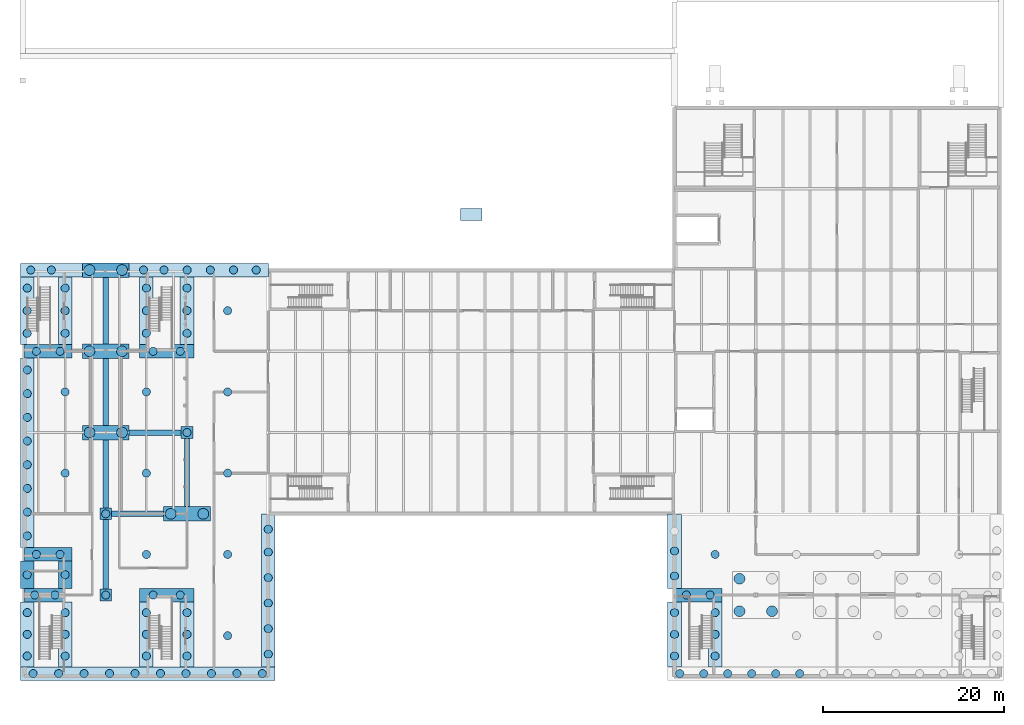
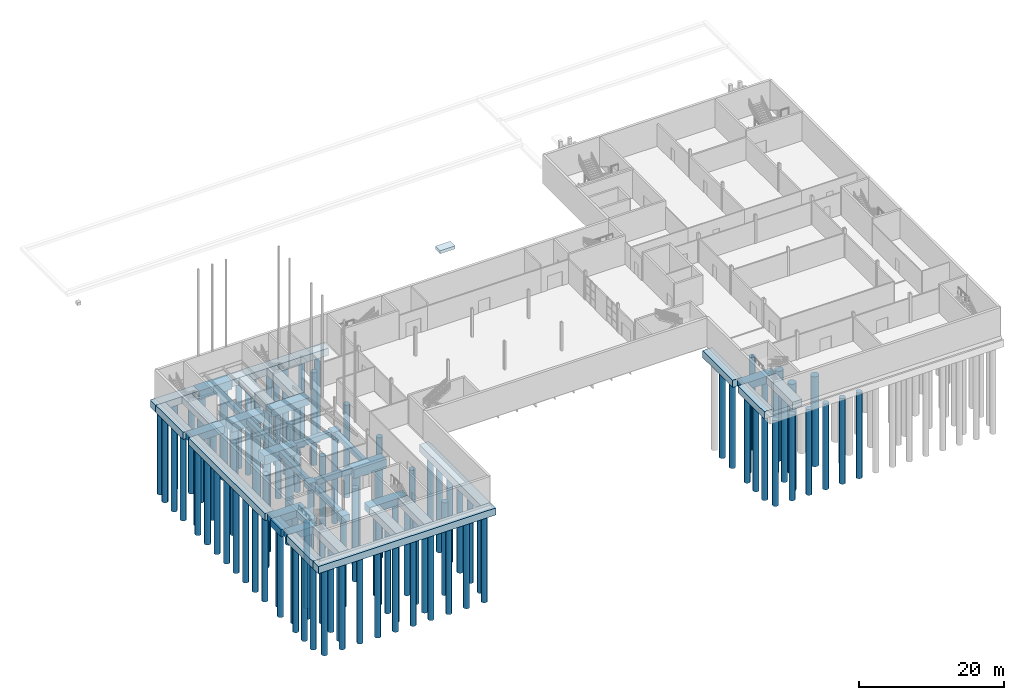
# One storey, part 1 of 31: 109 piles, 39 footings.
"""IFC4 building model written with IfcOpenShell, lengths in metres."""

import ifcopenshell
import ifcopenshell.guid

model = None  # the IFC model being written
_history = None  # IfcOwnerHistory: only IFC2X3 demands one
_inside = {}  # id of a spatial element -> (the spatial element, [elements in it])
_under = {}  # id of a project, library or spatial element -> (it, [spatial elements below it])
_declared = {}  # id of a project -> (the project, [libraries it declares])
_typed = {}  # id of a type object -> (the type object, [elements of that type])
_made_of = {}  # id of a material, layer set ... -> (it, [elements and type objects made of it])


def new_model(schema):
    """Start an empty IFC model of exactly this schema.

    Asked for "IFC4X3", IfcOpenShell would pick the latest addendum, in which some entities
    have other attributes; the version numbers below select the first issue.
    IFC2X3 requires an IfcOwnerHistory on every rooted entity: one is made here for all.
    """
    global model, _history
    if schema == "IFC4X3":
        model = ifcopenshell.file(schema_version=(4, 3, 0, 0))
    else:
        model = ifcopenshell.file(schema=schema)
    _inside.clear()
    _under.clear()
    _declared.clear()
    _typed.clear()
    _made_of.clear()
    _history = None
    if model.schema == "IFC2X3":
        org = make("IfcOrganization", Name="unknown")
        user = make(
            "IfcPersonAndOrganization",
            ThePerson=make("IfcPerson", FamilyName="unknown"),
            TheOrganization=org,
        )
        app = make(
            "IfcApplication",
            ApplicationDeveloper=org,
            Version="unknown",
            ApplicationFullName="unknown",
            ApplicationIdentifier="unknown",
        )
        _history = make(
            "IfcOwnerHistory",
            OwningUser=user,
            OwningApplication=app,
            ChangeAction="ADDED",
            CreationDate=0,
        )
    return model


def make(cls, **values):
    """One entity of the class cls with the attributes given. An attribute that is None is left unset."""
    return model.create_entity(
        cls, **{name: value for name, value in values.items() if value is not None}
    )


def rooted(cls, **values):
    """An entity with a GlobalId (a new one), such as an element, a storey or a relation."""
    return make(cls, GlobalId=ifcopenshell.guid.new(), OwnerHistory=_history, **values)


def si_unit(unit_type, name, prefix=None):
    """IfcSIUnit, for example si_unit("LENGTHUNIT", "METRE", prefix="MILLI")."""
    return make("IfcSIUnit", UnitType=unit_type, Prefix=prefix, Name=name)


def assignment(units):
    """IfcUnitAssignment: the units of a project."""
    return None if units is None else make("IfcUnitAssignment", Units=units)


def point(xyz):
    """IfcCartesianPoint."""
    return None if xyz is None else make("IfcCartesianPoint", Coordinates=xyz)


def direction(xyz):
    """IfcDirection."""
    return None if xyz is None else make("IfcDirection", DirectionRatios=xyz)


def frame(location, z_axis=None, x_axis=None):
    """IfcAxis2Placement3D, a coordinate frame: its origin and axes. An axis left out is left unset."""
    return make(
        "IfcAxis2Placement3D",
        Location=point(location),
        Axis=direction(z_axis),
        RefDirection=direction(x_axis),
    )


def frame_2d(location, x_axis=None):
    """IfcAxis2Placement2D, a coordinate frame in the plane: its origin and x axis."""
    return make(
        "IfcAxis2Placement2D", Location=point(location), RefDirection=direction(x_axis)
    )


def origin():
    """The frame at (0, 0, 0) with its axes left unset."""
    return frame((0.0, 0.0, 0.0))


def origin_2d():
    """The frame at (0, 0) in the plane with its x axis left unset."""
    return frame_2d((0.0, 0.0))


def place(relative_to, where):
    """IfcLocalPlacement: puts the frame where relative to a parent placement (None: the world)."""
    return make(
        "IfcLocalPlacement", PlacementRelTo=relative_to, RelativePlacement=where
    )


def context(
    kind, dimensions, precision=None, world=None, true_north=None, identifier=None
):
    """IfcGeometricRepresentationContext, for example the 3D "Model" context."""
    return make(
        "IfcGeometricRepresentationContext",
        ContextIdentifier=identifier,
        ContextType=kind,
        CoordinateSpaceDimension=dimensions,
        Precision=precision,
        WorldCoordinateSystem=world,
        TrueNorth=true_north,
    )


def subcontext(parent, identifier, kind, view, scale=None):
    """IfcGeometricRepresentationSubContext, for example "Body" below "Model"."""
    return make(
        "IfcGeometricRepresentationSubContext",
        ContextIdentifier=identifier,
        ContextType=kind,
        ParentContext=parent,
        TargetScale=scale,
        TargetView=view,
    )


def project(units=None, contexts=None):
    """IfcProject with its units and contexts."""
    return rooted(
        "IfcProject",
        Name="project",
        RepresentationContexts=contexts,
        UnitsInContext=assignment(units),
    )


def spatial(cls, under=None, at=None, **own):
    """A site, building, storey or space (cls), placed at a placement, below another one or the project."""
    s = rooted(cls, ObjectPlacement=at, **own)
    if under is not None:
        _under.setdefault(under.id(), (under, []))[1].append(s)
    return s


def polyline(points):
    """IfcPolyline through the points."""
    return make("IfcPolyline", Points=[point(p) for p in points])


def profile(cls, at=None, kind="AREA", **sizes):
    """A parametric profile (cls). Its sizes go by their IFC names, for example OverallWidth=200.0."""
    return make(cls, ProfileType=kind, Position=at, **sizes)


def circle(**sizes):
    """IfcCircleProfileDef."""
    return profile("IfcCircleProfileDef", **sizes)


def outline(outer, holes=None, kind="AREA"):
    """IfcArbitraryClosedProfileDef: a profile drawn as a closed curve; with holes, ...WithVoids."""
    if holes is None:
        return make("IfcArbitraryClosedProfileDef", ProfileType=kind, OuterCurve=outer)
    return make(
        "IfcArbitraryProfileDefWithVoids",
        ProfileType=kind,
        OuterCurve=outer,
        InnerCurves=holes,
    )


def extrude(swept, where, along, depth):
    """IfcExtrudedAreaSolid: the profile swept, set in the frame where, extruded along a direction by depth."""
    return make(
        "IfcExtrudedAreaSolid",
        SweptArea=swept,
        Position=where,
        ExtrudedDirection=direction(along),
        Depth=depth,
    )


def shape(context_of_items, identifier, shape_type, items):
    """IfcShapeRepresentation: the items that make up one representation, for example the "Body"."""
    return make(
        "IfcShapeRepresentation",
        ContextOfItems=context_of_items,
        RepresentationIdentifier=identifier,
        RepresentationType=shape_type,
        Items=items,
    )


def material(Name=None, Category=None):
    """IfcMaterial."""
    return make("IfcMaterial", Name=Name, Category=Category)


def layer(
    of_material, thickness, ventilated=None, Name=None, Category=None, Priority=None
):
    """IfcMaterialLayer: one layer of a wall or slab, of a material (None: an air gap)."""
    return make(
        "IfcMaterialLayer",
        Material=of_material,
        LayerThickness=thickness,
        IsVentilated=ventilated,
        Name=Name,
        Category=Category,
        Priority=Priority,
    )


def layer_set(layers, Name=None):
    """IfcMaterialLayerSet."""
    return make("IfcMaterialLayerSet", MaterialLayers=layers, LayerSetName=Name)


def material_profile(
    of_material, cross_section, Name=None, Category=None, Priority=None
):
    """IfcMaterialProfile: a cross section and its material."""
    return make(
        "IfcMaterialProfile",
        Name=Name,
        Material=of_material,
        Profile=cross_section,
        Priority=Priority,
        Category=Category,
    )


def profile_set(profiles, Name=None, composite=None):
    """IfcMaterialProfileSet."""
    return make(
        "IfcMaterialProfileSet",
        Name=Name,
        MaterialProfiles=profiles,
        CompositeProfile=composite,
    )


def made_of(thing, what):
    """Note that an element or type object is made of a material, layer set ...; save() writes the relation."""
    if what is not None:
        _made_of.setdefault(what.id(), (what, []))[1].append(thing)
    return thing


def type_object(cls, material=None, **own):
    """A type object (cls), such as IfcWallType, which elements share."""
    return made_of(rooted(cls, **own), material)


def element(
    cls,
    number,
    at=None,
    inside=None,
    cuts=None,
    type_object=None,
    material=None,
    context=None,
    identifier="Body",
    shape_type=None,
    held_by="IfcProductDefinitionShape",
    body=None,
    shapes=None,
    **own,
):
    """One element of the class cls, such as IfcWall. Its Tag is "e" and its number.

    at: its placement. inside: the storey or other place that contains it. cuts: it is an
    opening in that element (IfcRelVoidsElement). A single representation is given by context,
    identifier, shape_type and body (its items); several are given by shapes. held_by: the class
    of the entity that holds the representations. save() writes the other relations.
    """
    e = rooted(cls, Tag="e%d" % number, ObjectPlacement=at, **own)
    if body is not None:
        shapes = [shape(context, identifier, shape_type, body)]
    if shapes is not None:
        e.Representation = make(held_by, Representations=shapes)
    if inside is not None:
        _inside.setdefault(inside.id(), (inside, []))[1].append(e)
    if cuts is not None:
        rooted(
            "IfcRelVoidsElement", RelatingBuildingElement=cuts, RelatedOpeningElement=e
        )
    if type_object is not None:
        _typed.setdefault(type_object.id(), (type_object, []))[1].append(e)
    return made_of(e, material)


def aggregate(whole, parts):
    """IfcRelAggregates: a whole, such as a stair, and the parts it consists of."""
    return rooted("IfcRelAggregates", RelatingObject=whole, RelatedObjects=parts)


def save(model, path):
    """Write the relations noted so far, then the file.

    IfcRelAggregates (storeys below a building ...), IfcRelContainedInSpatialStructure (elements
    in a storey), IfcRelDefinesByType, IfcRelAssociatesMaterial and IfcRelDeclares: one each for
    every whole, place, type object, material and project.
    """
    for whole, parts in _under.values():
        aggregate(whole, parts)
    for where, things in _inside.values():
        rooted(
            "IfcRelContainedInSpatialStructure",
            RelatedElements=things,
            RelatingStructure=where,
        )
    for kind, things in _typed.values():
        rooted("IfcRelDefinesByType", RelatedObjects=things, RelatingType=kind)
    for what, things in _made_of.values():
        rooted("IfcRelAssociatesMaterial", RelatedObjects=things, RelatingMaterial=what)
    for by, libraries in _declared.values():
        rooted("IfcRelDeclares", RelatingContext=by, RelatedDefinitions=libraries)
    model.write(path)


model = new_model("IFC4")

# Units and contexts
model_context = context("Model", 3, precision=1e-05, world=origin(), true_north=direction((0.0, 1.0)))
body_context = subcontext(model_context, "Body", "Model", "MODEL_VIEW")
ifc_project = project(units=[si_unit("LENGTHUNIT", "METRE"), si_unit("AREAUNIT", "SQUARE_METRE"), si_unit("VOLUMEUNIT", "CUBIC_METRE"), si_unit("PLANEANGLEUNIT", "RADIAN"), si_unit("MASSUNIT", "GRAM", prefix="KILO")], contexts=[model_context])

# Site, building, storey
site_placement = place(None, origin())
site = spatial("IfcSite", under=ifc_project, at=site_placement, CompositionType="ELEMENT")
building_placement = place(site_placement, origin())
building = spatial("IfcBuilding", under=site, at=building_placement, Name="Halyard Row Museum", CompositionType="ELEMENT")
storey_placement = place(building_placement, frame((0.0, 0.0, -4.800048828125)))
storey = spatial("IfcBuildingStorey", under=building, at=storey_placement, Name="B1", CompositionType="ELEMENT", Elevation=-4.800048828125)

# Piles
ifc_material_1 = material(Name="Concrete 40 MPa", Category="concrete")
ifc_material_profile_1 = material_profile(ifc_material_1, circle(Radius=0.60009765625, at=origin_2d()), Name="Bored pile 1200 x 15.1")
ifc_profile_set_1 = profile_set([ifc_material_profile_1], Name="Concrete 40 MPa")
pile_type_1 = type_object("IfcPileType", Name="Bored pile 1200 x 15.1", PredefinedType="BORED", material=ifc_profile_set_1)
for number, where, z_axis, x_axis, name in (
    (1, (79.199951171875, 7.199951171875, -2.099853515625), (0.0, 0.0, -1.0), (1.0, 0.0, 0.0), "pile:B1:10B:1"),
    (2, (82.800048828125, 7.199951171875, -2.099853515625), (0.0, 0.0, -1.0), (1.0, 0.0, 0.0), "pile:B1:10B:2"),
    (3, (79.199951171875, 10.800048828125, -2.099853515625), (0.0, 0.0, -1.0), (1.0, 0.0, 0.0), "pile:B1:10B:3"),
    (4, (16.199951171875, 18.0, -2.099853515625), (0.0, 0.0, -1.0), (1.0, 0.0, 0.0), "pile:B1:3C:1"),
    (5, (19.800048828125, 18.0, -2.099853515625), (0.0, 0.0, -1.0), (1.0, 0.0, 0.0), "pile:B1:3C:2"),
    (6, (7.199951171875, 27.0, -2.099853515625), (0.0, 0.0, -1.0), (1.0, 0.0, 0.0), "pile:B1:2D:1"),
    (7, (10.800048828125, 27.0, -2.099853515625), (0.0, 0.0, -1.0), (1.0, 0.0, 0.0), "pile:B1:2D:2"),
    (8, (7.199951171875, 36.0, -2.099853515625), (0.0, 0.0, -1.0), (1.0, 0.0, 0.0), "pile:B1:2E:1"),
    (9, (10.800048828125, 36.0, -2.099853515625), (0.0, 0.0, -1.0), (1.0, 0.0, 0.0), "pile:B1:2E:2"),
    (10, (7.199951171875, 45.0, -2.099853515625), (0.0, 0.0, -1.0), (1.0, 0.0, 0.0), "pile:B1:2F:1"),
    (11, (10.800048828125, 45.0, -2.099853515625), (0.0, 0.0, -1.0), (1.0, 0.0, 0.0), "pile:B1:2F:2"),
):
    element("IfcPile", number, at=place(storey_placement, frame(where, z_axis=z_axis, x_axis=x_axis)), inside=storey, type_object=pile_type_1, Name=name, PredefinedType="BORED", context=body_context, shape_type="SweptSolid", body=[
        extrude(circle(Radius=0.60009765625, at=origin_2d()), origin(), (0.0, 0.0, 1.0), 15.10009765625),
    ])
ifc_material_2 = material(Name="Concrete 40 MPa", Category="concrete")
ifc_material_profile_2 = material_profile(ifc_material_2, circle(Radius=0.449951171875, at=origin_2d()), Name="Bored pile 900 x 14.4")
ifc_profile_set_2 = profile_set([ifc_material_profile_2], Name="Concrete 40 MPa")
pile_type_2 = type_object("IfcPileType", Name="Bored pile 900 x 14.4", PredefinedType="BORED", material=ifc_profile_set_2)
for number, where, z_axis, x_axis, name in (
    (12, (9.0, 9.0, -1.800048828125), (0.0, 0.0, -1.0), (1.0, 0.0, 0.0), "pile:B1:2B:1"),
    (13, (9.0, 18.0, -1.800048828125), (0.0, 0.0, -1.0), (1.0, 0.0, 0.0), "pile:B1:2C:1"),
    (14, (18.0, 27.0, -1.800048828125), (0.0, 0.0, -1.0), (1.0, 0.0, 0.0), "pile:B1:3D:1"),
    (15, (0.300048828125, 2.25, -1.800048828125), (0.0, 0.0, -1.0), (1.0, 0.0, 0.0), "pile:B1:37:1"),
    (16, (0.300048828125, 4.64990234375, -1.800048828125), (0.0, 0.0, -1.0), (1.0, 0.0, 0.0), "pile:B1:37:2"),
    (17, (0.300048828125, 7.050048828125, -1.800048828125), (0.0, 0.0, -1.0), (1.0, 0.0, 0.0), "pile:B1:37:3"),
    (18, (0.300048828125, 11.25, -1.800048828125), (0.0, 0.0, -1.0), (1.0, 0.0, 0.0), "pile:B1:38:1"),
    (19, (0.300048828125, 15.5625, -1.800048828125), (0.0, 0.0, -1.0), (1.0, 0.0, 0.0), "pile:B1:39:1"),
    (20, (0.300048828125, 18.1875, -1.800048828125), (0.0, 0.0, -1.0), (1.0, 0.0, 0.0), "pile:B1:39:2"),
    (21, (0.300048828125, 20.8125, -1.800048828125), (0.0, 0.0, -1.0), (1.0, 0.0, 0.0), "pile:B1:39:3"),
    (22, (0.300048828125, 23.4375, -1.800048828125), (0.0, 0.0, -1.0), (1.0, 0.0, 0.0), "pile:B1:39:4"),
    (23, (0.300048828125, 26.0625, -1.800048828125), (0.0, 0.0, -1.0), (1.0, 0.0, 0.0), "pile:B1:39:5"),
    (24, (0.300048828125, 28.6875, -1.800048828125), (0.0, 0.0, -1.0), (1.0, 0.0, 0.0), "pile:B1:39:6"),
    (25, (0.300048828125, 31.3125, -1.800048828125), (0.0, 0.0, -1.0), (1.0, 0.0, 0.0), "pile:B1:39:7"),
    (26, (0.300048828125, 33.9375, -1.800048828125), (0.0, 0.0, -1.0), (1.0, 0.0, 0.0), "pile:B1:39:8"),
    (27, (0.300048828125, 38.0, -1.800048828125), (0.0, 0.0, -1.0), (1.0, 0.0, 0.0), "pile:B1:40:1"),
    (28, (0.300048828125, 40.5, -1.800048828125), (0.0, 0.0, -1.0), (1.0, 0.0, 0.0), "pile:B1:40:2"),
    (29, (0.300048828125, 43.0, -1.800048828125), (0.0, 0.0, -1.0), (1.0, 0.0, 0.0), "pile:B1:40:3"),
    (30, (4.5, 2.25, -1.800048828125), (0.0, 0.0, -1.0), (1.0, 0.0, 0.0), "pile:B1:41:1"),
    (31, (4.5, 4.64990234375, -1.800048828125), (0.0, 0.0, -1.0), (1.0, 0.0, 0.0), "pile:B1:41:2"),
    (32, (4.5, 7.050048828125, -1.800048828125), (0.0, 0.0, -1.0), (1.0, 0.0, 0.0), "pile:B1:41:3"),
    (33, (4.5, 11.25, -1.800048828125), (0.0, 0.0, -1.0), (1.0, 0.0, 0.0), "pile:B1:42:1"),
    (34, (4.5, 38.0, -1.800048828125), (0.0, 0.0, -1.0), (1.0, 0.0, 0.0), "pile:B1:43:1"),
    (35, (4.5, 40.5, -1.800048828125), (0.0, 0.0, -1.0), (1.0, 0.0, 0.0), "pile:B1:43:2"),
    (36, (4.5, 43.0, -1.800048828125), (0.0, 0.0, -1.0), (1.0, 0.0, 0.0), "pile:B1:43:3"),
    (37, (13.5, 2.25, -1.800048828125), (0.0, 0.0, -1.0), (1.0, 0.0, 0.0), "pile:B1:44:1"),
    (38, (13.5, 4.64990234375, -1.800048828125), (0.0, 0.0, -1.0), (1.0, 0.0, 0.0), "pile:B1:44:2"),
    (39, (13.5, 7.050048828125, -1.800048828125), (0.0, 0.0, -1.0), (1.0, 0.0, 0.0), "pile:B1:44:3"),
    (40, (13.5, 38.0, -1.800048828125), (0.0, 0.0, -1.0), (1.0, 0.0, 0.0), "pile:B1:45:1"),
    (41, (13.5, 40.5, -1.800048828125), (0.0, 0.0, -1.0), (1.0, 0.0, 0.0), "pile:B1:45:2"),
    (42, (13.5, 43.0, -1.800048828125), (0.0, 0.0, -1.0), (1.0, 0.0, 0.0), "pile:B1:45:3"),
    (43, (18.0, 2.25, -1.800048828125), (0.0, 0.0, -1.0), (1.0, 0.0, 0.0), "pile:B1:46:1"),
    (44, (18.0, 4.64990234375, -1.800048828125), (0.0, 0.0, -1.0), (1.0, 0.0, 0.0), "pile:B1:46:2"),
    (45, (18.0, 7.050048828125, -1.800048828125), (0.0, 0.0, -1.0), (1.0, 0.0, 0.0), "pile:B1:46:3"),
    (46, (18.0, 38.0, -1.800048828125), (0.0, 0.0, -1.0), (1.0, 0.0, 0.0), "pile:B1:47:1"),
    (47, (18.0, 40.5, -1.800048828125), (0.0, 0.0, -1.0), (1.0, 0.0, 0.0), "pile:B1:47:2"),
    (48, (18.0, 43.0, -1.800048828125), (0.0, 0.0, -1.0), (1.0, 0.0, 0.0), "pile:B1:47:3"),
    (49, (27.0, 2.46240234375, -1.800048828125), (0.0, 0.0, -1.0), (1.0, 0.0, 0.0), "pile:B1:48:1"),
    (50, (27.0, 5.28759765625, -1.800048828125), (0.0, 0.0, -1.0), (1.0, 0.0, 0.0), "pile:B1:48:2"),
    (51, (27.0, 8.112548828125, -1.800048828125), (0.0, 0.0, -1.0), (1.0, 0.0, 0.0), "pile:B1:48:3"),
    (52, (27.0, 10.9375, -1.800048828125), (0.0, 0.0, -1.0), (1.0, 0.0, 0.0), "pile:B1:48:4"),
    (53, (27.0, 13.762451171875, -1.800048828125), (0.0, 0.0, -1.0), (1.0, 0.0, 0.0), "pile:B1:48:5"),
    (54, (27.0, 16.28759765625, -1.800048828125), (0.0, 0.0, -1.0), (1.0, 0.0, 0.0), "pile:B1:48:6"),
    (55, (72.0, 2.25, -1.800048828125), (0.0, 0.0, -1.0), (1.0, 0.0, 0.0), "pile:B1:49:1"),
    (56, (72.0, 4.64990234375, -1.800048828125), (0.0, 0.0, -1.0), (1.0, 0.0, 0.0), "pile:B1:49:2"),
    (57, (72.0, 7.050048828125, -1.800048828125), (0.0, 0.0, -1.0), (1.0, 0.0, 0.0), "pile:B1:49:3"),
    (58, (72.0, 11.125, -1.800048828125), (0.0, 0.0, -1.0), (1.0, 0.0, 0.0), "pile:B1:50:1"),
    (59, (72.0, 13.875, -1.800048828125), (0.0, 0.0, -1.0), (1.0, 0.0, 0.0), "pile:B1:50:2"),
    (60, (76.5, 2.25, -1.800048828125), (0.0, 0.0, -1.0), (1.0, 0.0, 0.0), "pile:B1:51:1"),
    (61, (76.5, 4.64990234375, -1.800048828125), (0.0, 0.0, -1.0), (1.0, 0.0, 0.0), "pile:B1:51:2"),
    (62, (76.5, 7.050048828125, -1.800048828125), (0.0, 0.0, -1.0), (1.0, 0.0, 0.0), "pile:B1:51:3"),
    (63, (0.9599609375, 0.300048828125, -1.800048828125), (0.0, 0.0, -1.0), (1.0, 0.0, 0.0), "pile:B1:55:1"),
    (64, (3.780029296875, 0.300048828125, -1.800048828125), (0.0, 0.0, -1.0), (1.0, 0.0, 0.0), "pile:B1:55:2"),
    (65, (6.60009765625, 0.300048828125, -1.800048828125), (0.0, 0.0, -1.0), (1.0, 0.0, 0.0), "pile:B1:55:3"),
    (66, (9.419921875, 0.300048828125, -1.800048828125), (0.0, 0.0, -1.0), (1.0, 0.0, 0.0), "pile:B1:55:4"),
    (67, (12.239990234375, 0.300048828125, -1.800048828125), (0.0, 0.0, -1.0), (1.0, 0.0, 0.0), "pile:B1:55:5"),
    (68, (15.06005859375, 0.300048828125, -1.800048828125), (0.0, 0.0, -1.0), (1.0, 0.0, 0.0), "pile:B1:55:6"),
    (69, (17.8798828125, 0.300048828125, -1.800048828125), (0.0, 0.0, -1.0), (1.0, 0.0, 0.0), "pile:B1:55:7"),
    (70, (20.699951171875, 0.300048828125, -1.800048828125), (0.0, 0.0, -1.0), (1.0, 0.0, 0.0), "pile:B1:55:8"),
    (71, (23.52001953125, 0.300048828125, -1.800048828125), (0.0, 0.0, -1.0), (1.0, 0.0, 0.0), "pile:B1:55:9"),
    (72, (26.340087890625, 0.300048828125, -1.800048828125), (0.0, 0.0, -1.0), (1.0, 0.0, 0.0), "pile:B1:55:10"),
    (73, (72.57861328125, 0.300048828125, -1.800048828125), (0.0, 0.0, -1.0), (1.0, 0.0, 0.0), "pile:B1:56:1"),
    (74, (75.235595703125, 0.300048828125, -1.800048828125), (0.0, 0.0, -1.0), (1.0, 0.0, 0.0), "pile:B1:56:2"),
    (75, (77.892822265625, 0.300048828125, -1.800048828125), (0.0, 0.0, -1.0), (1.0, 0.0, 0.0), "pile:B1:56:3"),
    (76, (80.550048828125, 0.300048828125, -1.800048828125), (0.0, 0.0, -1.0), (1.0, 0.0, 0.0), "pile:B1:56:4"),
    (77, (83.20703125, 0.300048828125, -1.800048828125), (0.0, 0.0, -1.0), (1.0, 0.0, 0.0), "pile:B1:56:5"),
    (78, (85.8642578125, 0.300048828125, -1.800048828125), (0.0, 0.0, -1.0), (1.0, 0.0, 0.0), "pile:B1:56:6"),
    (79, (1.125, 9.0, -1.800048828125), (0.0, 0.0, -1.0), (1.0, 0.0, 0.0), "pile:B1:57:1"),
    (80, (3.375, 9.0, -1.800048828125), (0.0, 0.0, -1.0), (1.0, 0.0, 0.0), "pile:B1:57:2"),
    (81, (14.25, 9.0, -1.800048828125), (0.0, 0.0, -1.0), (1.0, 0.0, 0.0), "pile:B1:58:1"),
    (82, (17.25, 9.0, -1.800048828125), (0.0, 0.0, -1.0), (1.0, 0.0, 0.0), "pile:B1:58:2"),
    (83, (73.3125, 9.0, -1.800048828125), (0.0, 0.0, -1.0), (1.0, 0.0, 0.0), "pile:B1:59:1"),
    (84, (75.9375, 9.0, -1.800048828125), (0.0, 0.0, -1.0), (1.0, 0.0, 0.0), "pile:B1:59:2"),
    (85, (1.3125, 13.5, -1.800048828125), (0.0, 0.0, -1.0), (1.0, 0.0, 0.0), "pile:B1:61:1"),
    (86, (3.9375, 13.5, -1.800048828125), (0.0, 0.0, -1.0), (1.0, 0.0, 0.0), "pile:B1:61:2"),
    (87, (1.3125, 36.0, -1.800048828125), (0.0, 0.0, -1.0), (1.0, 0.0, 0.0), "pile:B1:62:1"),
    (88, (3.9375, 36.0, -1.800048828125), (0.0, 0.0, -1.0), (1.0, 0.0, 0.0), "pile:B1:62:2"),
    (89, (14.25, 36.0, -1.800048828125), (0.0, 0.0, -1.0), (1.0, 0.0, 0.0), "pile:B1:63:1"),
    (90, (17.25, 36.0, -1.800048828125), (0.0, 0.0, -1.0), (1.0, 0.0, 0.0), "pile:B1:63:2"),
    (91, (0.691650390625, 45.0, -1.800048828125), (0.0, 0.0, -1.0), (1.0, 0.0, 0.0), "pile:B1:64:1"),
    (92, (2.97509765625, 45.0, -1.800048828125), (0.0, 0.0, -1.0), (1.0, 0.0, 0.0), "pile:B1:64:2"),
    (93, (13.183349609375, 45.0, -1.800048828125), (0.0, 0.0, -1.0), (1.0, 0.0, 0.0), "pile:B1:65:1"),
    (94, (15.449951171875, 45.0, -1.800048828125), (0.0, 0.0, -1.0), (1.0, 0.0, 0.0), "pile:B1:65:2"),
    (95, (18.0166015625, 45.0, -1.800048828125), (0.0, 0.0, -1.0), (1.0, 0.0, 0.0), "pile:B1:65:3"),
    (96, (20.583251953125, 45.0, -1.800048828125), (0.0, 0.0, -1.0), (1.0, 0.0, 0.0), "pile:B1:65:4"),
    (97, (23.14990234375, 45.0, -1.800048828125), (0.0, 0.0, -1.0), (1.0, 0.0, 0.0), "pile:B1:65:5"),
    (98, (25.666748046875, 45.0, -1.800048828125), (0.0, 0.0, -1.0), (1.0, 0.0, 0.0), "pile:B1:65:6"),
):
    element("IfcPile", number, at=place(storey_placement, frame(where, z_axis=z_axis, x_axis=x_axis)), inside=storey, type_object=pile_type_2, Name=name, PredefinedType="BORED", context=body_context, shape_type="SweptSolid", body=[
        extrude(circle(Radius=0.449951171875, at=origin_2d()), origin(), (0.0, 0.0, 1.0), 14.39990234375),
    ])
ifc_material_3 = material(Name="Concrete 40 MPa", Category="concrete")
ifc_material_profile_3 = material_profile(ifc_material_3, circle(Radius=0.449951171875, at=origin_2d()), Name="Bored pile 900 x 15.6")
ifc_profile_set_3 = profile_set([ifc_material_profile_3], Name="Concrete 40 MPa")
pile_type_3 = type_object("IfcPileType", Name="Bored pile 900 x 15.6", PredefinedType="BORED", material=ifc_profile_set_3)
for number, where, z_axis, x_axis, name in (
    (99, (22.5, 4.5, -0.599853515625), (0.0, 0.0, -1.0), (1.0, 0.0, 0.0), "pile:B1:ten01"),
    (100, (13.5, 13.5, -0.599853515625), (0.0, 0.0, -1.0), (1.0, 0.0, 0.0), "pile:B1:ten04"),
    (101, (22.5, 13.5, -0.599853515625), (0.0, 0.0, -1.0), (1.0, 0.0, 0.0), "pile:B1:ten05"),
    (102, (76.5, 13.5, -0.599853515625), (0.0, 0.0, -1.0), (1.0, 0.0, 0.0), "pile:B1:ten06"),
    (103, (4.5, 22.5, -0.599853515625), (0.0, 0.0, -1.0), (1.0, 0.0, 0.0), "pile:B1:ten10"),
    (104, (13.5, 22.5, -0.599853515625), (0.0, 0.0, -1.0), (1.0, 0.0, 0.0), "pile:B1:ten11"),
    (105, (22.5, 22.5, -0.599853515625), (0.0, 0.0, -1.0), (1.0, 0.0, 0.0), "pile:B1:ten12"),
    (106, (4.5, 31.5, -0.599853515625), (0.0, 0.0, -1.0), (1.0, 0.0, 0.0), "pile:B1:ten13"),
    (107, (13.5, 31.5, -0.599853515625), (0.0, 0.0, -1.0), (1.0, 0.0, 0.0), "pile:B1:ten14"),
    (108, (22.5, 31.5, -0.599853515625), (0.0, 0.0, -1.0), (1.0, 0.0, 0.0), "pile:B1:ten15"),
    (109, (22.5, 40.5, -0.599853515625), (0.0, 0.0, -1.0), (1.0, 0.0, 0.0), "pile:B1:ten16"),
):
    element("IfcPile", number, at=place(storey_placement, frame(where, z_axis=z_axis, x_axis=x_axis)), inside=storey, type_object=pile_type_3, Name=name, PredefinedType="BORED", context=body_context, shape_type="SweptSolid", body=[
        extrude(circle(Radius=0.449951171875, at=origin_2d()), origin(), (0.0, 0.0, 1.0), 15.60009765625),
    ])

# Footings
ifc_material_4 = material(Name="Concrete 40 MPa", Category="concrete")
footing_type_1 = type_object("IfcFootingType", Name="Ground beam", PredefinedType="FOOTING_BEAM", material=ifc_material_4)
footing_1_placement = place(storey_placement, frame((0.0, 0.0, -1.5)))
element("IfcFooting", 110, at=footing_1_placement, inside=storey, type_object=footing_type_1, Name="Ground beam B1-031", PredefinedType="FOOTING_BEAM", context=body_context, shape_type="SweptSolid", body=[
    extrude(outline(polyline([(8.699951171875, 9.64990234375), (9.300048828125, 9.64990234375), (9.300048828125, 17.35009765625), (8.699951171875, 17.35009765625), (8.699951171875, 9.64990234375)])), origin(), (0.0, 0.0, 1.0), 0.900146484375),
])
footing_2_placement = place(storey_placement, frame((0.0, 0.0, -1.5)))
element("IfcFooting", 111, at=footing_2_placement, inside=storey, type_object=footing_type_1, Name="Ground beam B1-034", PredefinedType="FOOTING_BEAM", context=body_context, shape_type="SweptSolid", body=[
    extrude(outline(polyline([(8.699951171875, 18.64990234375), (9.300048828125, 18.64990234375), (9.300048828125, 26.199951171875), (8.699951171875, 26.199951171875), (8.699951171875, 18.64990234375)])), origin(), (0.0, 0.0, 1.0), 0.900146484375),
])
footing_3_placement = place(storey_placement, frame((0.0, 0.0, -1.5)))
element("IfcFooting", 112, at=footing_3_placement, inside=storey, type_object=footing_type_1, Name="Ground beam B1-035", PredefinedType="FOOTING_BEAM", context=body_context, shape_type="SweptSolid", body=[
    extrude(outline(polyline([(9.64990234375, 17.699951171875), (15.39990234375, 17.699951171875), (15.39990234375, 18.300048828125), (9.64990234375, 18.300048828125), (9.64990234375, 17.699951171875)])), origin(), (0.0, 0.0, 1.0), 0.900146484375),
])
footing_4_placement = place(storey_placement, frame((0.0, 0.0, -1.5)))
element("IfcFooting", 113, at=footing_4_placement, inside=storey, type_object=footing_type_1, Name="Ground beam B1-036", PredefinedType="FOOTING_BEAM", context=body_context, shape_type="SweptSolid", body=[
    extrude(outline(polyline([(17.699951171875, 18.800048828125), (18.300048828125, 18.800048828125), (18.300048828125, 26.35009765625), (17.699951171875, 26.35009765625), (17.699951171875, 18.800048828125)])), origin(), (0.0, 0.0, 1.0), 0.900146484375),
])
footing_5_placement = place(storey_placement, frame((0.0, 0.0, -1.5)))
element("IfcFooting", 114, at=footing_5_placement, inside=storey, type_object=footing_type_1, Name="Ground beam B1-037", PredefinedType="FOOTING_BEAM", context=body_context, shape_type="SweptSolid", body=[
    extrude(outline(polyline([(8.699951171875, 27.800048828125), (9.300048828125, 27.800048828125), (9.300048828125, 35.199951171875), (8.699951171875, 35.199951171875), (8.699951171875, 27.800048828125)])), origin(), (0.0, 0.0, 1.0), 0.900146484375),
])
footing_6_placement = place(storey_placement, frame((0.0, 0.0, -1.5)))
element("IfcFooting", 115, at=footing_6_placement, inside=storey, type_object=footing_type_1, Name="Ground beam B1-038", PredefinedType="FOOTING_BEAM", context=body_context, shape_type="SweptSolid", body=[
    extrude(outline(polyline([(11.60009765625, 26.699951171875), (17.35009765625, 26.699951171875), (17.35009765625, 27.300048828125), (11.60009765625, 27.300048828125), (11.60009765625, 26.699951171875)])), origin(), (0.0, 0.0, 1.0), 0.900146484375),
])
footing_7_placement = place(storey_placement, frame((0.0, 0.0, -1.5)))
element("IfcFooting", 116, at=footing_7_placement, inside=storey, type_object=footing_type_1, Name="Ground beam B1-039", PredefinedType="FOOTING_BEAM", context=body_context, shape_type="SweptSolid", body=[
    extrude(outline(polyline([(8.699951171875, 36.800048828125), (9.300048828125, 36.800048828125), (9.300048828125, 44.199951171875), (8.699951171875, 44.199951171875), (8.699951171875, 36.800048828125)])), origin(), (0.0, 0.0, 1.0), 0.900146484375),
])
ifc_material_5 = material(Name="Concrete 40 MPa", Category="concrete")
footing_type_2 = type_object("IfcFootingType", Name="Pile cap 1 piles 900", PredefinedType="PILE_CAP", material=ifc_material_5)
footing_8_placement = place(storey_placement, frame((0.0, 0.0, -1.800048828125)))
element("IfcFooting", 117, at=footing_8_placement, inside=storey, type_object=footing_type_2, Name="Pile cap 2B B1", PredefinedType="PILE_CAP", context=body_context, shape_type="SweptSolid", body=[
    extrude(outline(polyline([(8.35009765625, 8.35009765625), (9.64990234375, 8.35009765625), (9.64990234375, 9.64990234375), (8.35009765625, 9.64990234375), (8.35009765625, 8.35009765625)])), origin(), (0.0, 0.0, 1.0), 1.2001953125),
])
footing_9_placement = place(storey_placement, frame((0.0, 0.0, -1.800048828125)))
element("IfcFooting", 118, at=footing_9_placement, inside=storey, type_object=footing_type_2, Name="Pile cap 2C B1", PredefinedType="PILE_CAP", context=body_context, shape_type="SweptSolid", body=[
    extrude(outline(polyline([(8.35009765625, 17.35009765625), (9.64990234375, 17.35009765625), (9.64990234375, 18.64990234375), (8.35009765625, 18.64990234375), (8.35009765625, 17.35009765625)])), origin(), (0.0, 0.0, 1.0), 1.2001953125),
])
footing_10_placement = place(storey_placement, frame((0.0, 0.0, -1.800048828125)))
element("IfcFooting", 119, at=footing_10_placement, inside=storey, type_object=footing_type_2, Name="Pile cap 3D B1", PredefinedType="PILE_CAP", context=body_context, shape_type="SweptSolid", body=[
    extrude(outline(polyline([(17.35009765625, 26.35009765625), (18.64990234375, 26.35009765625), (18.64990234375, 27.64990234375), (17.35009765625, 27.64990234375), (17.35009765625, 26.35009765625)])), origin(), (0.0, 0.0, 1.0), 1.2001953125),
])
ifc_material_6 = material(Name="Concrete 40 MPa", Category="concrete")
footing_type_3 = type_object("IfcFootingType", Name="Pile cap 2 piles 1200", PredefinedType="PILE_CAP", material=ifc_material_6)
footing_11_placement = place(storey_placement, frame((0.0, 0.0, -2.099853515625)))
element("IfcFooting", 120, at=footing_11_placement, inside=storey, type_object=footing_type_3, Name="Pile cap 3C B1", PredefinedType="PILE_CAP", context=body_context, shape_type="SweptSolid", body=[
    extrude(outline(polyline([(15.39990234375, 17.199951171875), (20.60009765625, 17.199951171875), (20.60009765625, 18.800048828125), (15.39990234375, 18.800048828125), (15.39990234375, 17.199951171875)])), origin(), (0.0, 0.0, 1.0), 1.5),
])
footing_12_placement = place(storey_placement, frame((0.0, 0.0, -2.099853515625)))
element("IfcFooting", 121, at=footing_12_placement, inside=storey, type_object=footing_type_3, Name="Pile cap 2D B1", PredefinedType="PILE_CAP", context=body_context, shape_type="SweptSolid", body=[
    extrude(outline(polyline([(6.39990234375, 26.199951171875), (11.60009765625, 26.199951171875), (11.60009765625, 27.800048828125), (6.39990234375, 27.800048828125), (6.39990234375, 26.199951171875)])), origin(), (0.0, 0.0, 1.0), 1.5),
])
footing_13_placement = place(storey_placement, frame((0.0, 0.0, -2.099853515625)))
element("IfcFooting", 122, at=footing_13_placement, inside=storey, type_object=footing_type_3, Name="Pile cap 2E B1", PredefinedType="PILE_CAP", context=body_context, shape_type="SweptSolid", body=[
    extrude(outline(polyline([(6.39990234375, 35.199951171875), (11.60009765625, 35.199951171875), (11.60009765625, 36.800048828125), (6.39990234375, 36.800048828125), (6.39990234375, 35.199951171875)])), origin(), (0.0, 0.0, 1.0), 1.5),
])
footing_14_placement = place(storey_placement, frame((0.0, 0.0, -2.099853515625)))
element("IfcFooting", 123, at=footing_14_placement, inside=storey, type_object=footing_type_3, Name="Pile cap 2F B1", PredefinedType="PILE_CAP", context=body_context, shape_type="SweptSolid", body=[
    extrude(outline(polyline([(6.39990234375, 44.199951171875), (11.60009765625, 44.199951171875), (11.60009765625, 45.800048828125), (6.39990234375, 45.800048828125), (6.39990234375, 44.199951171875)])), origin(), (0.0, 0.0, 1.0), 1.5),
])
ifc_material_7 = material(Name="Concrete 40 MPa", Category="concrete")
ifc_layer = layer(ifc_material_7, 0.5)
ifc_layer_set = layer_set([ifc_layer], Name="Concrete 40 MPa")
footing_type_4 = type_object("IfcFootingType", Name="Step footing 500 reinforced concrete", PredefinedType="PAD_FOOTING", material=ifc_layer_set)
footing_15_placement = place(storey_placement, frame((0.0, 0.0, 3.9599609375)))
element("IfcFooting", 124, at=footing_15_placement, inside=storey, type_object=footing_type_4, Name="Step footing terrace", PredefinedType="PAD_FOOTING", context=body_context, shape_type="SweptSolid", body=[
    extrude(outline(polyline([(48.300048828125, 50.5), (50.699951171875, 50.5), (50.699951171875, 51.800048828125), (48.300048828125, 51.800048828125), (48.300048828125, 50.5)])), origin(), (0.0, 0.0, 1.0), 0.5),
])
ifc_material_8 = material(Name="Concrete 40 MPa", Category="concrete")
footing_type_5 = type_object("IfcFootingType", Name="Wall strip footing", PredefinedType="STRIP_FOOTING", material=ifc_material_8)
footing_16_placement = place(storey_placement, frame((0.0, 0.0, -1.800048828125)))
element("IfcFooting", 125, at=footing_16_placement, inside=storey, type_object=footing_type_5, Name="Wall strip footing B1-37", PredefinedType="STRIP_FOOTING", context=body_context, shape_type="SweptSolid", body=[
    extrude(outline(polyline([(-0.449951171875, 1.050048828125), (1.050048828125, 1.050048828125), (1.050048828125, 8.25), (-0.449951171875, 8.25), (-0.449951171875, 1.050048828125)])), origin(), (0.0, 0.0, 1.0), 1.2001953125),
])
footing_17_placement = place(storey_placement, frame((0.0, 0.0, -1.800048828125)))
element("IfcFooting", 126, at=footing_17_placement, inside=storey, type_object=footing_type_5, Name="Wall strip footing B1-38", PredefinedType="STRIP_FOOTING", context=body_context, shape_type="SweptSolid", body=[
    extrude(outline(polyline([(-0.449951171875, 9.75), (1.050048828125, 9.75), (1.050048828125, 12.75), (-0.449951171875, 12.75), (-0.449951171875, 9.75)])), origin(), (0.0, 0.0, 1.0), 1.2001953125),
])
footing_18_placement = place(storey_placement, frame((0.0, 0.0, -1.800048828125)))
element("IfcFooting", 127, at=footing_18_placement, inside=storey, type_object=footing_type_5, Name="Wall strip footing B1-39", PredefinedType="STRIP_FOOTING", context=body_context, shape_type="SweptSolid", body=[
    extrude(outline(polyline([(-0.449951171875, 14.25), (1.050048828125, 14.25), (1.050048828125, 35.25), (-0.449951171875, 35.25), (-0.449951171875, 14.25)])), origin(), (0.0, 0.0, 1.0), 1.2001953125),
])
footing_19_placement = place(storey_placement, frame((0.0, 0.0, -1.800048828125)))
element("IfcFooting", 128, at=footing_19_placement, inside=storey, type_object=footing_type_5, Name="Wall strip footing B1-40", PredefinedType="STRIP_FOOTING", context=body_context, shape_type="SweptSolid", body=[
    extrude(outline(polyline([(-0.449951171875, 36.75), (1.050048828125, 36.75), (1.050048828125, 44.25), (-0.449951171875, 44.25), (-0.449951171875, 36.75)])), origin(), (0.0, 0.0, 1.0), 1.2001953125),
])
footing_20_placement = place(storey_placement, frame((0.0, 0.0, -1.800048828125)))
element("IfcFooting", 129, at=footing_20_placement, inside=storey, type_object=footing_type_5, Name="Wall strip footing B1-41", PredefinedType="STRIP_FOOTING", context=body_context, shape_type="SweptSolid", body=[
    extrude(outline(polyline([(3.75, 1.050048828125), (5.25, 1.050048828125), (5.25, 8.25), (3.75, 8.25), (3.75, 1.050048828125)])), origin(), (0.0, 0.0, 1.0), 1.2001953125),
])
footing_21_placement = place(storey_placement, frame((0.0, 0.0, -1.800048828125)))
element("IfcFooting", 130, at=footing_21_placement, inside=storey, type_object=footing_type_5, Name="Wall strip footing B1-42", PredefinedType="STRIP_FOOTING", context=body_context, shape_type="SweptSolid", body=[
    extrude(outline(polyline([(3.75, 9.75), (5.25, 9.75), (5.25, 12.75), (3.75, 12.75), (3.75, 9.75)])), origin(), (0.0, 0.0, 1.0), 1.2001953125),
])
footing_22_placement = place(storey_placement, frame((0.0, 0.0, -1.800048828125)))
element("IfcFooting", 131, at=footing_22_placement, inside=storey, type_object=footing_type_5, Name="Wall strip footing B1-43", PredefinedType="STRIP_FOOTING", context=body_context, shape_type="SweptSolid", body=[
    extrude(outline(polyline([(3.75, 36.75), (5.25, 36.75), (5.25, 44.25), (3.75, 44.25), (3.75, 36.75)])), origin(), (0.0, 0.0, 1.0), 1.2001953125),
])
footing_23_placement = place(storey_placement, frame((0.0, 0.0, -1.800048828125)))
element("IfcFooting", 132, at=footing_23_placement, inside=storey, type_object=footing_type_5, Name="Wall strip footing B1-44", PredefinedType="STRIP_FOOTING", context=body_context, shape_type="SweptSolid", body=[
    extrude(outline(polyline([(12.75, 1.050048828125), (14.25, 1.050048828125), (14.25, 8.25), (12.75, 8.25), (12.75, 1.050048828125)])), origin(), (0.0, 0.0, 1.0), 1.2001953125),
])
footing_24_placement = place(storey_placement, frame((0.0, 0.0, -1.800048828125)))
element("IfcFooting", 133, at=footing_24_placement, inside=storey, type_object=footing_type_5, Name="Wall strip footing B1-45", PredefinedType="STRIP_FOOTING", context=body_context, shape_type="SweptSolid", body=[
    extrude(outline(polyline([(12.75, 36.75), (14.25, 36.75), (14.25, 44.25), (12.75, 44.25), (12.75, 36.75)])), origin(), (0.0, 0.0, 1.0), 1.2001953125),
])
footing_25_placement = place(storey_placement, frame((0.0, 0.0, -1.800048828125)))
element("IfcFooting", 134, at=footing_25_placement, inside=storey, type_object=footing_type_5, Name="Wall strip footing B1-46", PredefinedType="STRIP_FOOTING", context=body_context, shape_type="SweptSolid", body=[
    extrude(outline(polyline([(17.25, 1.050048828125), (18.75, 1.050048828125), (18.75, 8.25), (17.25, 8.25), (17.25, 1.050048828125)])), origin(), (0.0, 0.0, 1.0), 1.2001953125),
])
footing_26_placement = place(storey_placement, frame((0.0, 0.0, -1.800048828125)))
element("IfcFooting", 135, at=footing_26_placement, inside=storey, type_object=footing_type_5, Name="Wall strip footing B1-47", PredefinedType="STRIP_FOOTING", context=body_context, shape_type="SweptSolid", body=[
    extrude(outline(polyline([(17.25, 36.75), (18.75, 36.75), (18.75, 44.25), (17.25, 44.25), (17.25, 36.75)])), origin(), (0.0, 0.0, 1.0), 1.2001953125),
])
footing_27_placement = place(storey_placement, frame((0.0, 0.0, -1.800048828125)))
element("IfcFooting", 136, at=footing_27_placement, inside=storey, type_object=footing_type_5, Name="Wall strip footing B1-48", PredefinedType="STRIP_FOOTING", context=body_context, shape_type="SweptSolid", body=[
    extrude(outline(polyline([(26.25, 1.050048828125), (27.75, 1.050048828125), (27.75, 18.0), (26.25, 18.0), (26.25, 1.050048828125)])), origin(), (0.0, 0.0, 1.0), 1.2001953125),
])
footing_28_placement = place(storey_placement, frame((0.0, 0.0, -1.800048828125)))
element("IfcFooting", 137, at=footing_28_placement, inside=storey, type_object=footing_type_5, Name="Wall strip footing B1-49", PredefinedType="STRIP_FOOTING", context=body_context, shape_type="SweptSolid", body=[
    extrude(outline(polyline([(71.25, 1.050048828125), (72.75, 1.050048828125), (72.75, 8.25), (71.25, 8.25), (71.25, 1.050048828125)])), origin(), (0.0, 0.0, 1.0), 1.2001953125),
])
footing_29_placement = place(storey_placement, frame((0.0, 0.0, -1.800048828125)))
element("IfcFooting", 138, at=footing_29_placement, inside=storey, type_object=footing_type_5, Name="Wall strip footing B1-50", PredefinedType="STRIP_FOOTING", context=body_context, shape_type="SweptSolid", body=[
    extrude(outline(polyline([(71.25, 9.75), (72.75, 9.75), (72.75, 18.0), (71.25, 18.0), (71.25, 9.75)])), origin(), (0.0, 0.0, 1.0), 1.2001953125),
])
footing_30_placement = place(storey_placement, frame((0.0, 0.0, -1.800048828125)))
element("IfcFooting", 139, at=footing_30_placement, inside=storey, type_object=footing_type_5, Name="Wall strip footing B1-51", PredefinedType="STRIP_FOOTING", context=body_context, shape_type="SweptSolid", body=[
    extrude(outline(polyline([(75.75, 1.050048828125), (77.25, 1.050048828125), (77.25, 8.25), (75.75, 8.25), (75.75, 1.050048828125)])), origin(), (0.0, 0.0, 1.0), 1.2001953125),
])
footing_31_placement = place(storey_placement, frame((0.0, 0.0, -1.800048828125)))
element("IfcFooting", 140, at=footing_31_placement, inside=storey, type_object=footing_type_5, Name="Wall strip footing B1-55", PredefinedType="STRIP_FOOTING", context=body_context, shape_type="SweptSolid", body=[
    extrude(outline(polyline([(-0.449951171875, -0.449951171875), (27.75, -0.449951171875), (27.75, 1.050048828125), (-0.449951171875, 1.050048828125), (-0.449951171875, -0.449951171875)])), origin(), (0.0, 0.0, 1.0), 1.2001953125),
])
footing_32_placement = place(storey_placement, frame((0.0, 0.0, -1.800048828125)))
element("IfcFooting", 141, at=footing_32_placement, inside=storey, type_object=footing_type_5, Name="Wall strip footing B1-57", PredefinedType="STRIP_FOOTING", context=body_context, shape_type="SweptSolid", body=[
    extrude(outline(polyline([(0.0, 8.25), (4.5, 8.25), (4.5, 9.75), (0.0, 9.75), (0.0, 8.25)])), origin(), (0.0, 0.0, 1.0), 1.2001953125),
])
footing_33_placement = place(storey_placement, frame((0.0, 0.0, -1.800048828125)))
element("IfcFooting", 142, at=footing_33_placement, inside=storey, type_object=footing_type_5, Name="Wall strip footing B1-58", PredefinedType="STRIP_FOOTING", context=body_context, shape_type="SweptSolid", body=[
    extrude(outline(polyline([(12.75, 8.25), (18.75, 8.25), (18.75, 9.75), (12.75, 9.75), (12.75, 8.25)])), origin(), (0.0, 0.0, 1.0), 1.2001953125),
])
footing_34_placement = place(storey_placement, frame((0.0, 0.0, -1.800048828125)))
element("IfcFooting", 143, at=footing_34_placement, inside=storey, type_object=footing_type_5, Name="Wall strip footing B1-59", PredefinedType="STRIP_FOOTING", context=body_context, shape_type="SweptSolid", body=[
    extrude(outline(polyline([(72.0, 8.25), (77.25, 8.25), (77.25, 9.75), (72.0, 9.75), (72.0, 8.25)])), origin(), (0.0, 0.0, 1.0), 1.2001953125),
])
footing_35_placement = place(storey_placement, frame((0.0, 0.0, -1.800048828125)))
element("IfcFooting", 144, at=footing_35_placement, inside=storey, type_object=footing_type_5, Name="Wall strip footing B1-61", PredefinedType="STRIP_FOOTING", context=body_context, shape_type="SweptSolid", body=[
    extrude(outline(polyline([(0.0, 12.75), (5.25, 12.75), (5.25, 14.25), (0.0, 14.25), (0.0, 12.75)])), origin(), (0.0, 0.0, 1.0), 1.2001953125),
])
footing_36_placement = place(storey_placement, frame((0.0, 0.0, -1.800048828125)))
element("IfcFooting", 145, at=footing_36_placement, inside=storey, type_object=footing_type_5, Name="Wall strip footing B1-62", PredefinedType="STRIP_FOOTING", context=body_context, shape_type="SweptSolid", body=[
    extrude(outline(polyline([(0.0, 35.25), (5.25, 35.25), (5.25, 36.75), (0.0, 36.75), (0.0, 35.25)])), origin(), (0.0, 0.0, 1.0), 1.2001953125),
])
footing_37_placement = place(storey_placement, frame((0.0, 0.0, -1.800048828125)))
element("IfcFooting", 146, at=footing_37_placement, inside=storey, type_object=footing_type_5, Name="Wall strip footing B1-63", PredefinedType="STRIP_FOOTING", context=body_context, shape_type="SweptSolid", body=[
    extrude(outline(polyline([(12.75, 35.25), (18.75, 35.25), (18.75, 36.75), (12.75, 36.75), (12.75, 35.25)])), origin(), (0.0, 0.0, 1.0), 1.2001953125),
])
footing_38_placement = place(storey_placement, frame((0.0, 0.0, -1.800048828125)))
element("IfcFooting", 147, at=footing_38_placement, inside=storey, type_object=footing_type_5, Name="Wall strip footing B1-64", PredefinedType="STRIP_FOOTING", context=body_context, shape_type="SweptSolid", body=[
    extrude(outline(polyline([(-0.449951171875, 44.25), (6.39990234375, 44.25), (6.39990234375, 45.75), (-0.449951171875, 45.75), (-0.449951171875, 44.25)])), origin(), (0.0, 0.0, 1.0), 1.2001953125),
])
footing_39_placement = place(storey_placement, frame((0.0, 0.0, -1.800048828125)))
element("IfcFooting", 148, at=footing_39_placement, inside=storey, type_object=footing_type_5, Name="Wall strip footing B1-65", PredefinedType="STRIP_FOOTING", context=body_context, shape_type="SweptSolid", body=[
    extrude(outline(polyline([(27.0, 45.75), (11.60009765625, 45.75), (11.60009765625, 44.25), (27.0, 44.25), (27.0, 45.75)])), origin(), (0.0, 0.0, 1.0), 1.2001953125),
])

save(model, "model.ifc")
